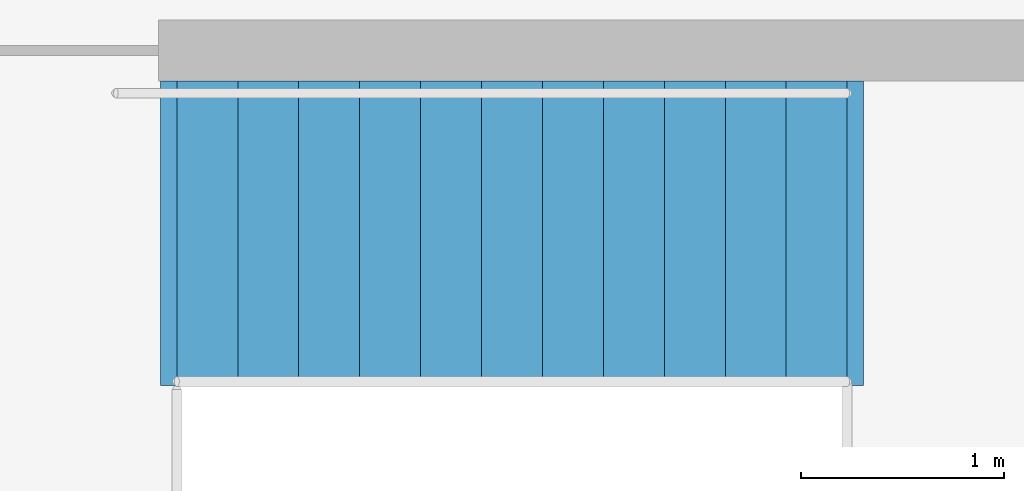
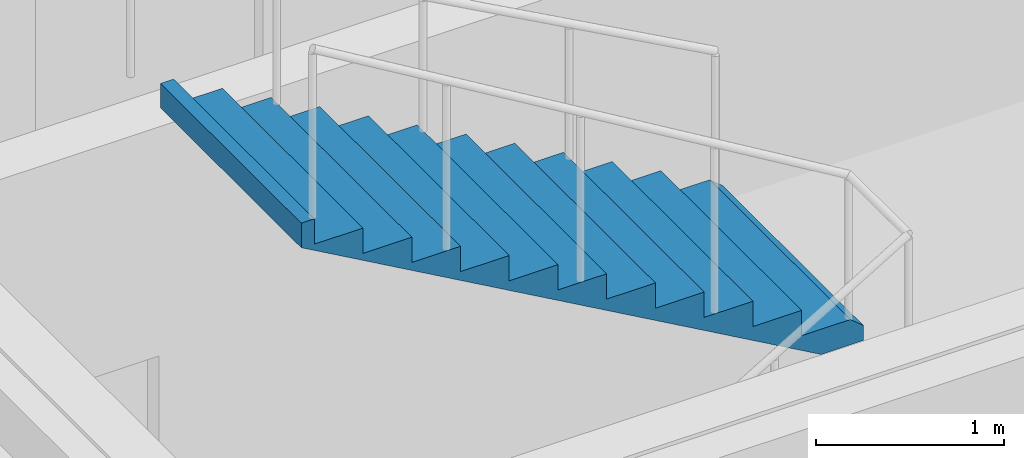
# One storey, part 12 of 13: 1 stair flight, 1 element without a shape of its own.
"""IFC4 building model written with IfcOpenShell, lengths in metres."""

from ifc_helpers import new_model, si_unit, direction, frame, origin, place, context, subcontext, project, spatial, polyline, outline, extrude, material, type_object, element, aggregate, save


model = new_model("IFC4")

# Units and contexts
model_context = context("Model", 3, precision=1e-05, world=origin(), true_north=direction((0.0, 1.0)))
body_context = subcontext(model_context, "Body", "Model", "MODEL_VIEW")
ifc_project = project(units=[si_unit("LENGTHUNIT", "METRE"), si_unit("AREAUNIT", "SQUARE_METRE"), si_unit("VOLUMEUNIT", "CUBIC_METRE"), si_unit("PLANEANGLEUNIT", "RADIAN"), si_unit("MASSUNIT", "GRAM", prefix="KILO")], contexts=[model_context])

# Site, building, storey
site_placement = place(None, origin())
site = spatial("IfcSite", under=ifc_project, at=site_placement, CompositionType="ELEMENT")
building_placement = place(site_placement, origin())
building = spatial("IfcBuilding", under=site, at=building_placement, Name="Vellmiral Cinema and Media Centre", CompositionType="ELEMENT")
storey_placement = place(building_placement, frame((0.0, 0.0, 58.699951171875)))
storey = spatial("IfcBuildingStorey", under=building, at=storey_placement, Name="L14", CompositionType="ELEMENT", Elevation=58.699951171875)

# Stair, stair flight
ifc_material_1 = material(Name="Concrete C40/50", Category="concrete")
stair_type = type_object("IfcStairType", Name="ST-2RET-395", PredefinedType="HALF_TURN_STAIR", material=ifc_material_1)
stair_placement = place(storey_placement, origin())
stair = element("IfcStair", 1, at=stair_placement, inside=storey, type_object=stair_type, Name="Protected Escape Stair ST-T2 (L14)", PredefinedType="HALF_TURN_STAIR")
ifc_material_2 = material(Name="Concrete C40/50", Category="concrete")
stair_flight_type = type_object("IfcStairFlightType", Name="STF-STR-395", PredefinedType="STRAIGHT", material=ifc_material_2)
stair_flight_placement = place(storey_placement, frame((145.14990234375, 90.35009765625, 1.97509765625), z_axis=(0.0, 0.0, 1.0), x_axis=(-1.0, 0.0, 0.0)))
stair_flight = element("IfcStairFlight", 2, at=stair_flight_placement, type_object=stair_flight_type, Name="ST-T2 flight 2", NumberOfRisers=12, NumberOfTreads=11, PredefinedType="STRAIGHT", RiserHeight=0.164583333, TreadLength=0.3, context=body_context, shape_type="SweptSolid", body=[
    extrude(outline(polyline([(-0.080078125, 0.0), (-0.080078125, 0.0986328125), (0.0, 0.16455078125), (0.300048828125, 0.16455078125), (0.300048828125, 0.3291015625), (0.60009765625, 0.3291015625), (0.60009765625, 0.49365234375), (0.89990234375, 0.49365234375), (0.89990234375, 0.658447265625), (1.199951171875, 0.658447265625), (1.199951171875, 0.822998046875), (1.5, 0.822998046875), (1.5, 0.987548828125), (1.800048828125, 0.987548828125), (1.800048828125, 1.152099609375), (2.10009765625, 1.152099609375), (2.10009765625, 1.316650390625), (2.39990234375, 1.316650390625), (2.39990234375, 1.481201171875), (2.699951171875, 1.481201171875), (2.699951171875, 1.645751953125), (3.0, 1.645751953125), (3.0, 1.810302734375), (3.300048828125, 1.810302734375), (3.300048828125, 1.97509765625), (3.380126953125, 1.97509765625), (3.380126953125, 1.815185546875), (0.179931640625, 0.0), (-0.080078125, 0.0)])), frame((0.0, 0.75, 0.0), z_axis=(0.0, -1.0, 0.0), x_axis=(1.0, 0.0, 0.0)), (0.0, 0.0, 1.0), 1.5),
])
aggregate(stair, [stair_flight])

save(model, "model.ifc")
